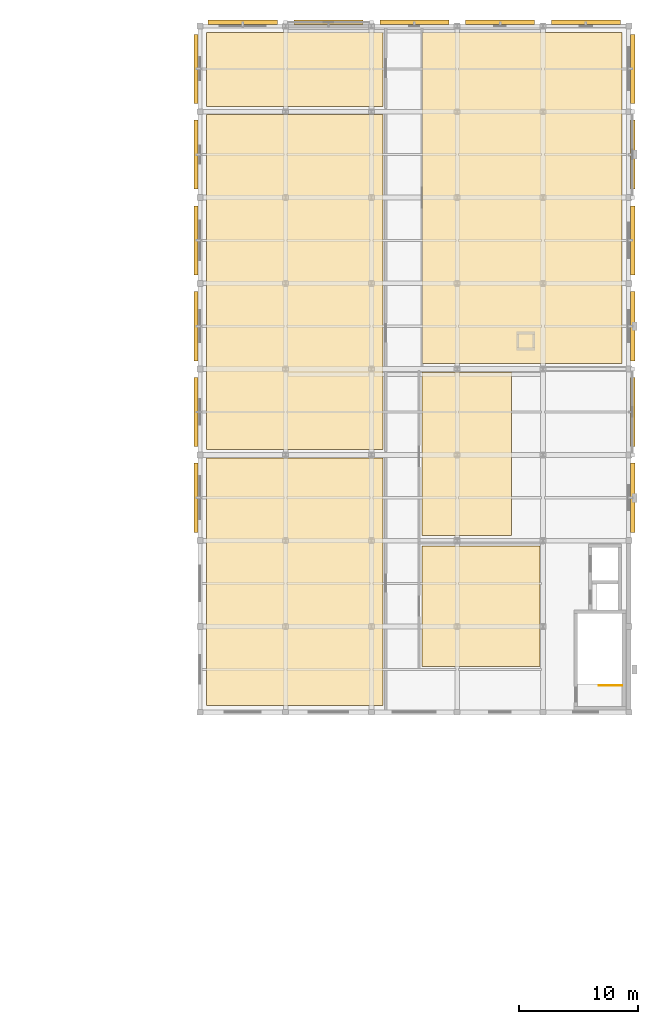
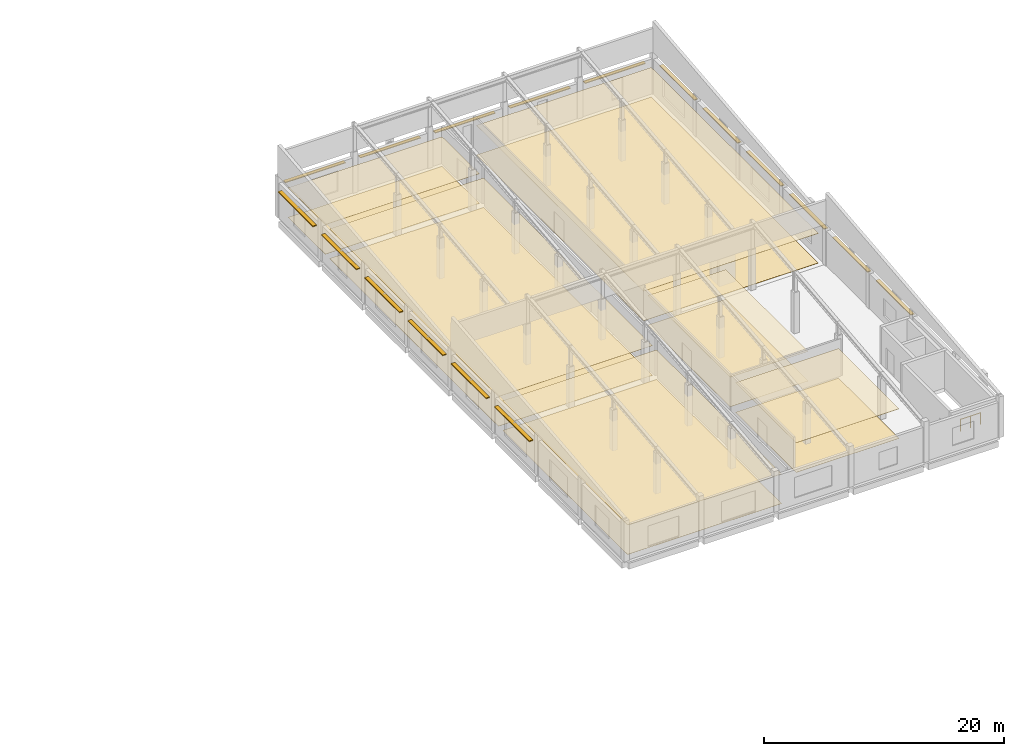
# One storey, part 33 of 33: 17 shading devices, 12 coverings, 1 railing.
"""IFC4 building model written with IfcOpenShell, lengths in metres."""

from ifc_helpers import new_model, si_unit, direction, frame, origin, origin_2d, place, context, subcontext, project, spatial, polyline, rectangle, circle, outline, extrude, material, layer, layer_set, type_object, element, save


model = new_model("IFC4")

# Units and contexts
model_context = context("Model", 3, precision=1e-05, world=origin(), true_north=direction((0.0, 1.0)))
body_context = subcontext(model_context, "Body", "Model", "MODEL_VIEW")
ifc_project = project(units=[si_unit("LENGTHUNIT", "METRE"), si_unit("AREAUNIT", "SQUARE_METRE"), si_unit("VOLUMEUNIT", "CUBIC_METRE"), si_unit("PLANEANGLEUNIT", "RADIAN"), si_unit("MASSUNIT", "GRAM", prefix="KILO")], contexts=[model_context])

# Site, building, storey
site_placement = place(None, origin())
site = spatial("IfcSite", under=ifc_project, at=site_placement, CompositionType="ELEMENT")
building_placement = place(site_placement, origin())
building = spatial("IfcBuilding", under=site, at=building_placement, Name="Valkovuoma Quantum and Materials Research Institute", CompositionType="ELEMENT")
storey_placement = place(building_placement, frame((0.0, 0.0, 25.60009765625)))
storey = spatial("IfcBuildingStorey", under=building, at=storey_placement, Name="L06", CompositionType="ELEMENT", Elevation=25.60009765625)

# Coverings
ifc_material_1 = material(Name="Cleanable acoustic mineral-fibre suspended ceiling", Category="masonry")
ifc_layer_1 = layer(ifc_material_1, 0.02490234375)
ifc_layer_set_1 = layer_set([ifc_layer_1], Name="Cleanable acoustic mineral-fibre suspended ceiling")
covering_type_1 = type_object("IfcCoveringType", Name="Cov-CEIL-01", PredefinedType="CEILING", material=ifc_layer_set_1)
covering_1_placement = place(storey_placement, frame((0.0, 0.0, 3.0)))
element("IfcCovering", 1, at=covering_1_placement, inside=storey, type_object=covering_type_1, Name="L06 acoustic ceiling 0141", PredefinedType="CEILING", context=body_context, shape_type="SweptSolid", body=[
    extrude(outline(polyline([(130.14990234375, 58.14990234375), (144.949951171875, 58.14990234375), (144.949951171875, 78.949951171875), (130.14990234375, 78.949951171875), (130.14990234375, 58.14990234375)])), origin(), (0.0, 0.0, 1.0), 0.02490234375),
])
covering_2_placement = place(storey_placement, frame((0.0, 0.0, 3.0)))
element("IfcCovering", 2, at=covering_2_placement, inside=storey, type_object=covering_type_1, Name="L06 acoustic ceiling 0142", PredefinedType="CEILING", context=body_context, shape_type="SweptSolid", body=[
    extrude(outline(polyline([(130.14990234375, 79.64990234375), (144.949951171875, 79.64990234375), (144.949951171875, 107.75), (130.14990234375, 107.75), (130.14990234375, 79.64990234375)])), origin(), (0.0, 0.0, 1.0), 0.02490234375),
])
covering_3_placement = place(storey_placement, frame((0.0, 0.0, 3.0)))
element("IfcCovering", 3, at=covering_3_placement, inside=storey, type_object=covering_type_1, Name="L06 acoustic ceiling 0143", PredefinedType="CEILING", context=body_context, shape_type="SweptSolid", body=[
    extrude(outline(polyline([(130.14990234375, 108.449951171875), (144.949951171875, 108.449951171875), (144.949951171875, 114.64990234375), (130.14990234375, 114.64990234375), (130.14990234375, 108.449951171875)])), origin(), (0.0, 0.0, 1.0), 0.02490234375),
])
covering_4_placement = place(storey_placement, frame((0.0, 0.0, 3.0)))
element("IfcCovering", 4, at=covering_4_placement, inside=storey, type_object=covering_type_1, Name="L06 acoustic ceiling 0144", PredefinedType="CEILING", context=body_context, shape_type="SweptSolid", body=[
    extrude(outline(polyline([(148.25, 61.449951171875), (158.14990234375, 61.449951171875), (158.14990234375, 71.550048828125), (148.25, 71.550048828125), (148.25, 61.449951171875)])), origin(), (0.0, 0.0, 1.0), 0.02490234375),
])
covering_5_placement = place(storey_placement, frame((0.0, 0.0, 3.0)))
element("IfcCovering", 5, at=covering_5_placement, inside=storey, type_object=covering_type_1, Name="L06 acoustic ceiling 0145", PredefinedType="CEILING", context=body_context, shape_type="SweptSolid", body=[
    extrude(outline(polyline([(148.25, 72.449951171875), (155.75, 72.449951171875), (155.75, 86.14990234375), (148.25, 86.14990234375), (148.25, 72.449951171875)])), origin(), (0.0, 0.0, 1.0), 0.02490234375),
])
covering_6_placement = place(storey_placement, frame((0.0, 0.0, 3.0)))
element("IfcCovering", 6, at=covering_6_placement, inside=storey, type_object=covering_type_1, Name="L06 acoustic ceiling 0146", PredefinedType="CEILING", context=body_context, shape_type="SweptSolid", body=[
    extrude(outline(polyline([(148.25, 86.85009765625), (165.050048828125, 86.85009765625), (165.050048828125, 114.64990234375), (148.25, 114.64990234375), (148.25, 86.85009765625)])), origin(), (0.0, 0.0, 1.0), 0.02490234375),
])
ifc_material_2 = material(Name="Seamless dissipative laboratory resin flooring", Category="masonry")
ifc_layer_2 = layer(ifc_material_2, 0.014892578125)
ifc_layer_set_2 = layer_set([ifc_layer_2], Name="Seamless dissipative laboratory resin flooring")
covering_type_2 = type_object("IfcCoveringType", Name="Cov-FLOR-01", PredefinedType="FLOORING", material=ifc_layer_set_2)
covering_7_placement = place(storey_placement, origin())
element("IfcCovering", 7, at=covering_7_placement, inside=storey, type_object=covering_type_2, Name="L06 resin flooring 0141", PredefinedType="FLOORING", context=body_context, shape_type="SweptSolid", body=[
    extrude(outline(polyline([(130.14990234375, 58.14990234375), (144.949951171875, 58.14990234375), (144.949951171875, 78.949951171875), (130.14990234375, 78.949951171875), (130.14990234375, 58.14990234375)])), origin(), (0.0, 0.0, 1.0), 0.014892578125),
])
covering_8_placement = place(storey_placement, origin())
element("IfcCovering", 8, at=covering_8_placement, inside=storey, type_object=covering_type_2, Name="L06 resin flooring 0142", PredefinedType="FLOORING", context=body_context, shape_type="SweptSolid", body=[
    extrude(outline(polyline([(130.14990234375, 79.64990234375), (144.949951171875, 79.64990234375), (144.949951171875, 107.75), (130.14990234375, 107.75), (130.14990234375, 79.64990234375)])), origin(), (0.0, 0.0, 1.0), 0.014892578125),
])
covering_9_placement = place(storey_placement, origin())
element("IfcCovering", 9, at=covering_9_placement, inside=storey, type_object=covering_type_2, Name="L06 resin flooring 0143", PredefinedType="FLOORING", context=body_context, shape_type="SweptSolid", body=[
    extrude(outline(polyline([(130.14990234375, 108.449951171875), (144.949951171875, 108.449951171875), (144.949951171875, 114.64990234375), (130.14990234375, 114.64990234375), (130.14990234375, 108.449951171875)])), origin(), (0.0, 0.0, 1.0), 0.014892578125),
])
covering_10_placement = place(storey_placement, origin())
element("IfcCovering", 10, at=covering_10_placement, inside=storey, type_object=covering_type_2, Name="L06 resin flooring 0144", PredefinedType="FLOORING", context=body_context, shape_type="SweptSolid", body=[
    extrude(outline(polyline([(148.25, 61.449951171875), (158.14990234375, 61.449951171875), (158.14990234375, 71.550048828125), (148.25, 71.550048828125), (148.25, 61.449951171875)])), origin(), (0.0, 0.0, 1.0), 0.014892578125),
])
covering_11_placement = place(storey_placement, origin())
element("IfcCovering", 11, at=covering_11_placement, inside=storey, type_object=covering_type_2, Name="L06 resin flooring 0145", PredefinedType="FLOORING", context=body_context, shape_type="SweptSolid", body=[
    extrude(outline(polyline([(148.25, 72.449951171875), (155.75, 72.449951171875), (155.75, 86.14990234375), (148.25, 86.14990234375), (148.25, 72.449951171875)])), origin(), (0.0, 0.0, 1.0), 0.014892578125),
])
covering_12_placement = place(storey_placement, origin())
element("IfcCovering", 12, at=covering_12_placement, inside=storey, type_object=covering_type_2, Name="L06 resin flooring 0146", PredefinedType="FLOORING", context=body_context, shape_type="SweptSolid", body=[
    extrude(outline(polyline([(148.25, 86.85009765625), (165.050048828125, 86.85009765625), (165.050048828125, 114.64990234375), (148.25, 114.64990234375), (148.25, 86.85009765625)])), origin(), (0.0, 0.0, 1.0), 0.014892578125),
])

# Railing
ifc_material_3 = material(Name="Painted steel stair balustrade", Category="steel")
railing_type = type_object("IfcRailingType", Name="Rail-GRD-ST", PredefinedType="BALUSTRADE", material=ifc_material_3)
railing_placement = place(storey_placement, frame((165.050048828125, 59.85009765625, 0.0)))
element("IfcRailing", 13, at=railing_placement, inside=storey, type_object=railing_type, Name="L06 ST-3 top well guard 1", PredefinedType="BALUSTRADE", context=body_context, shape_type="SweptSolid", body=[
    extrude(circle(Radius=0.02392578125, at=origin_2d()), frame((0.0, 0.0, 1.17578125), z_axis=(-1.0, 0.0, 0.0), x_axis=(0.0, -1.0, 0.0)), (0.0, 0.0, 1.0), 1.949951171875),
    extrude(circle(Radius=0.02099609375, at=origin_2d()), origin(), (0.0, 0.0, 1.0), 1.15185546875),
    extrude(circle(Radius=0.02099609375, at=origin_2d()), frame((-0.97509765625, 0.0, 0.0)), (0.0, 0.0, 1.0), 1.15185546875),
    extrude(circle(Radius=0.02099609375, at=origin_2d()), frame((-1.949951171875, 0.0, 0.0)), (0.0, 0.0, 1.0), 1.15185546875),
])

# Shading devices
ifc_material_4 = material(Name="Powder-coated white perforated architectural aluminium panel", Category="aluminium")
ifc_layer_3 = layer(ifc_material_4, 0.050048828125)
ifc_layer_set_3 = layer_set([ifc_layer_3], Name="Powder-coated white perforated architectural aluminium panel")
shading_device_type_1 = type_object("IfcShadingDeviceType", Name="Screen-SCR-DENSE", PredefinedType="JALOUSIE", material=ifc_layer_set_3)
for number, where, z_axis, x_axis, name in (
    (14, (165.919921875, 90.0, 3.009765625), (0.0, 0.0, 1.0), (1.0, 0.0, 0.0), "L06 wet-lab solar sunshade E-0114"),
    (15, (129.280029296875, 90.0, 3.009765625), (0.0, 0.0, 1.0), (1.0, 0.0, 0.0), "L06 wet-lab solar sunshade W-0115"),
    (16, (165.919921875, 111.60009765625, 3.009765625), (0.0, 0.0, 1.0), (1.0, 0.0, 0.0), "L06 wet-lab solar sunshade E-0120"),
    (17, (129.280029296875, 111.60009765625, 3.009765625), (0.0, 0.0, 1.0), (1.0, 0.0, 0.0), "L06 wet-lab solar sunshade W-0121"),
):
    element("IfcShadingDevice", number, at=place(storey_placement, frame(where, z_axis=z_axis, x_axis=x_axis)), inside=storey, type_object=shading_device_type_1, Name=name, PredefinedType="JALOUSIE", context=body_context, shape_type="SweptSolid", body=[
        extrude(rectangle(XDim=0.360107421875, YDim=5.800048828125, at=origin_2d()), origin(), (0.0, 0.0, 1.0), 0.080078125),
    ])
for number, where, z_axis, x_axis, name in (
    (18, (133.199951171875, 115.52001953125, 3.009765625), (0.0, 0.0, 1.0), (1.0, 0.0, 0.0), "L06 wet-lab north sunshade 0122"),
    (19, (154.800048828125, 115.52001953125, 3.009765625), (0.0, 0.0, 1.0), (1.0, 0.0, 0.0), "L06 wet-lab north sunshade 0125"),
):
    element("IfcShadingDevice", number, at=place(storey_placement, frame(where, z_axis=z_axis, x_axis=x_axis)), inside=storey, type_object=shading_device_type_1, Name=name, PredefinedType="JALOUSIE", context=body_context, shape_type="SweptSolid", body=[
        extrude(rectangle(XDim=5.800048828125, YDim=0.360107421875, at=origin_2d()), origin(), (0.0, 0.0, 1.0), 0.080078125),
    ])
ifc_material_5 = material(Name="Powder-coated white perforated architectural aluminium panel", Category="aluminium")
ifc_layer_4 = layer(ifc_material_5, 0.050048828125)
ifc_layer_set_4 = layer_set([ifc_layer_4], Name="Powder-coated white perforated architectural aluminium panel")
shading_device_type_2 = type_object("IfcShadingDeviceType", Name="Screen-SCR-MID", PredefinedType="JALOUSIE", material=ifc_layer_set_4)
for number, where, z_axis, x_axis, name in (
    (20, (165.919921875, 75.60009765625, 3.009765625), (0.0, 0.0, 1.0), (1.0, 0.0, 0.0), "L06 wet-lab solar sunshade E-0110"),
    (21, (129.280029296875, 75.60009765625, 3.009765625), (0.0, 0.0, 1.0), (1.0, 0.0, 0.0), "L06 wet-lab solar sunshade W-0111"),
    (22, (165.919921875, 97.199951171875, 3.009765625), (0.0, 0.0, 1.0), (1.0, 0.0, 0.0), "L06 wet-lab solar sunshade E-0116"),
    (23, (129.280029296875, 97.199951171875, 3.009765625), (0.0, 0.0, 1.0), (1.0, 0.0, 0.0), "L06 wet-lab solar sunshade W-0117"),
):
    element("IfcShadingDevice", number, at=place(storey_placement, frame(where, z_axis=z_axis, x_axis=x_axis)), inside=storey, type_object=shading_device_type_2, Name=name, PredefinedType="JALOUSIE", context=body_context, shape_type="SweptSolid", body=[
        extrude(rectangle(XDim=0.360107421875, YDim=5.800048828125, at=origin_2d()), origin(), (0.0, 0.0, 1.0), 0.080078125),
    ])
for number, where, z_axis, x_axis, name in (
    (24, (140.39990234375, 115.52001953125, 3.009765625), (0.0, 0.0, 1.0), (1.0, 0.0, 0.0), "L06 wet-lab north sunshade 0123"),
    (25, (162.0, 115.52001953125, 3.009765625), (0.0, 0.0, 1.0), (1.0, 0.0, 0.0), "L06 wet-lab north sunshade 0126"),
):
    element("IfcShadingDevice", number, at=place(storey_placement, frame(where, z_axis=z_axis, x_axis=x_axis)), inside=storey, type_object=shading_device_type_2, Name=name, PredefinedType="JALOUSIE", context=body_context, shape_type="SweptSolid", body=[
        extrude(rectangle(XDim=5.800048828125, YDim=0.360107421875, at=origin_2d()), origin(), (0.0, 0.0, 1.0), 0.080078125),
    ])
ifc_material_6 = material(Name="Powder-coated white perforated architectural aluminium panel", Category="aluminium")
ifc_layer_5 = layer(ifc_material_6, 0.050048828125)
ifc_layer_set_5 = layer_set([ifc_layer_5], Name="Powder-coated white perforated architectural aluminium panel")
shading_device_type_3 = type_object("IfcShadingDeviceType", Name="Screen-SCR-SPARSE", PredefinedType="JALOUSIE", material=ifc_layer_set_5)
for number, where, z_axis, x_axis, name in (
    (26, (165.919921875, 82.800048828125, 3.009765625), (0.0, 0.0, 1.0), (1.0, 0.0, 0.0), "L06 wet-lab solar sunshade E-0112"),
    (27, (129.280029296875, 82.800048828125, 3.009765625), (0.0, 0.0, 1.0), (1.0, 0.0, 0.0), "L06 wet-lab solar sunshade W-0113"),
    (28, (165.919921875, 104.39990234375, 3.009765625), (0.0, 0.0, 1.0), (1.0, 0.0, 0.0), "L06 wet-lab solar sunshade E-0118"),
    (29, (129.280029296875, 104.39990234375, 3.009765625), (0.0, 0.0, 1.0), (1.0, 0.0, 0.0), "L06 wet-lab solar sunshade W-0119"),
):
    element("IfcShadingDevice", number, at=place(storey_placement, frame(where, z_axis=z_axis, x_axis=x_axis)), inside=storey, type_object=shading_device_type_3, Name=name, PredefinedType="JALOUSIE", context=body_context, shape_type="SweptSolid", body=[
        extrude(rectangle(XDim=0.360107421875, YDim=5.800048828125, at=origin_2d()), origin(), (0.0, 0.0, 1.0), 0.080078125),
    ])
shading_device_placement = place(storey_placement, frame((147.60009765625, 115.52001953125, 3.009765625), z_axis=(0.0, 0.0, 1.0), x_axis=(1.0, 0.0, 0.0)))
element("IfcShadingDevice", 30, at=shading_device_placement, inside=storey, type_object=shading_device_type_3, Name="L06 wet-lab north sunshade 0124", PredefinedType="JALOUSIE", context=body_context, shape_type="SweptSolid", body=[
    extrude(rectangle(XDim=5.800048828125, YDim=0.360107421875, at=origin_2d()), origin(), (0.0, 0.0, 1.0), 0.080078125),
])

save(model, "model.ifc")
